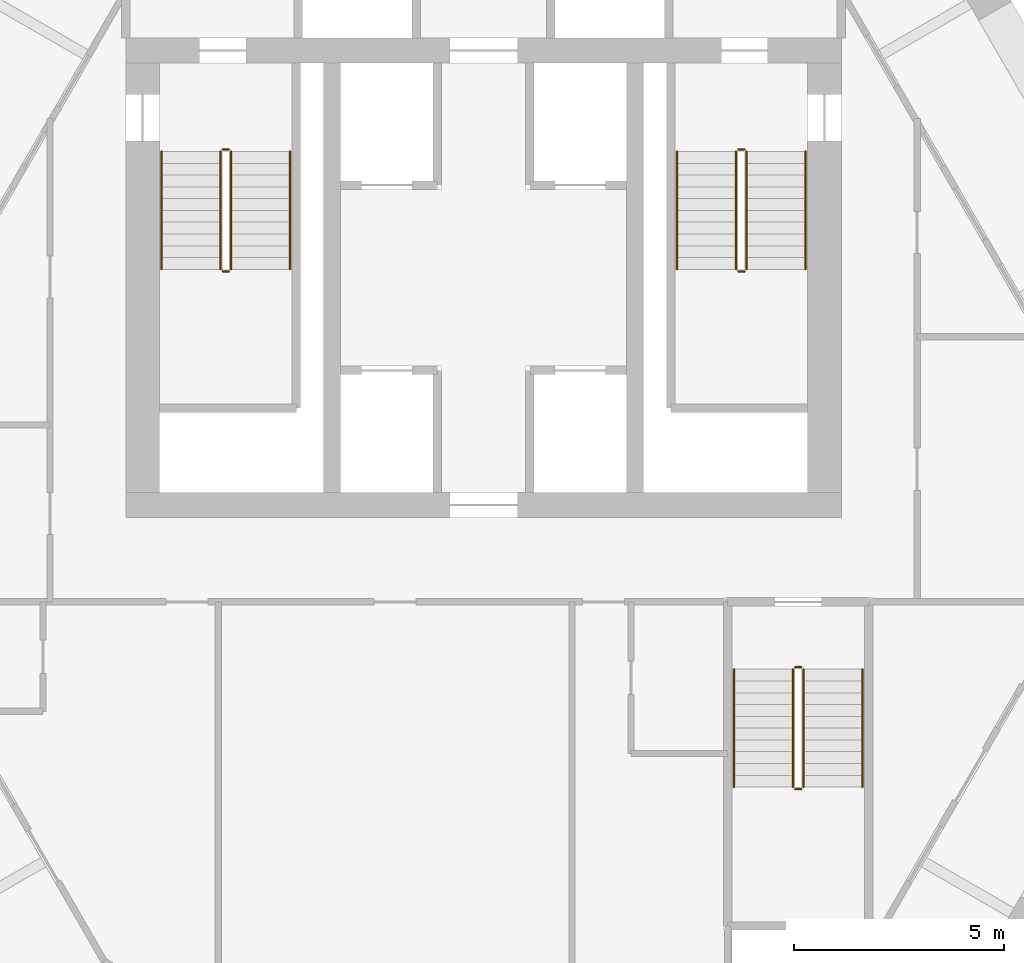
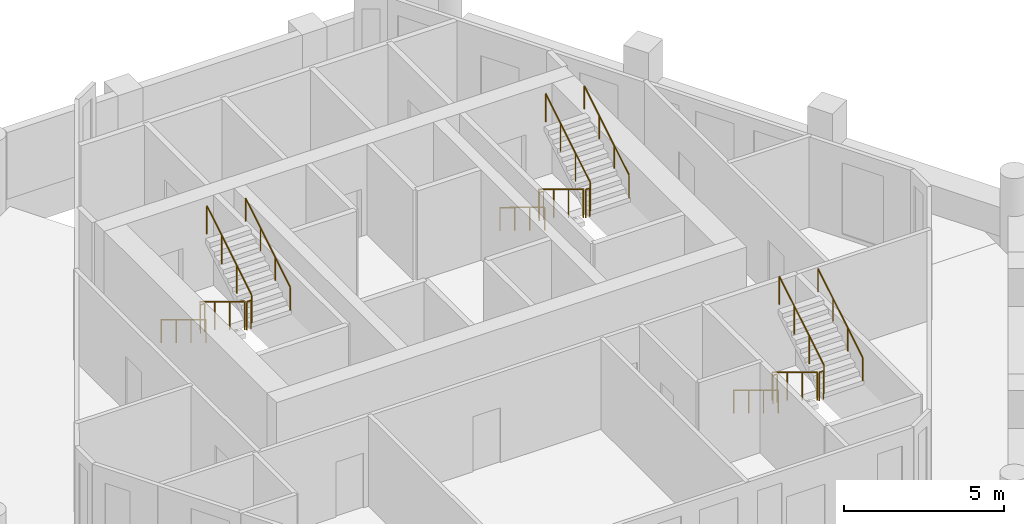
# One storey, part 6 of 6: 18 railings.
"""IFC4 building model written with IfcOpenShell, lengths in metres."""

from ifc_helpers import new_model, si_unit, direction, frame, origin, origin_2d, place, context, subcontext, project, spatial, circle, extrude, material, type_object, element, save


model = new_model("IFC4")

# Units and contexts
model_context = context("Model", 3, precision=1e-05, world=origin(), true_north=direction((0.0, 1.0)))
body_context = subcontext(model_context, "Body", "Model", "MODEL_VIEW")
ifc_project = project(units=[si_unit("LENGTHUNIT", "METRE"), si_unit("AREAUNIT", "SQUARE_METRE"), si_unit("VOLUMEUNIT", "CUBIC_METRE"), si_unit("PLANEANGLEUNIT", "RADIAN"), si_unit("MASSUNIT", "GRAM", prefix="KILO")], contexts=[model_context])

# Site, building, storey
site_placement = place(None, origin())
site = spatial("IfcSite", under=ifc_project, at=site_placement, CompositionType="ELEMENT")
building_placement = place(site_placement, origin())
building = spatial("IfcBuilding", under=site, at=building_placement, Name="Ostrander Bayou Hotel Tower", CompositionType="ELEMENT")
storey_placement = place(building_placement, frame((0.0, 0.0, 271.25)))
storey = spatial("IfcBuildingStorey", under=building, at=storey_placement, Name="L67", CompositionType="ELEMENT", Elevation=271.25)

# Railings
ifc_material_1 = material(Name="Steel ASTM A500 Gr C", Category="steel")
railing_type_1 = type_object("IfcRailingType", Name="GR1 stair guard 1100 mm steel", PredefinedType="GUARDRAIL", material=ifc_material_1)
railing_1_placement = place(storey_placement, frame((-6.25, 7.0, 0.17041015625)))
element("IfcRailing", 1, at=railing_1_placement, inside=storey, type_object=railing_type_1, Name="L67 STA stair guard 1", PredefinedType="GUARDRAIL", context=body_context, shape_type="SweptSolid", body=[
    extrude(circle(Radius=0.02392578125, at=origin_2d()), frame((0.0, 0.0, 1.076171875), z_axis=(0.0, -0.854169791009, 0.51999420009), x_axis=(1.0, 0.0, 0.0)), (0.0, 0.0, 1.0), 3.278076171875),
    extrude(circle(Radius=0.02099609375, at=origin_2d()), origin(), (0.0, 0.0, 1.0), 1.052001953125),
    extrude(circle(Radius=0.02099609375, at=origin_2d()), frame((0.0, -0.933349609375, 0.568115234375)), (0.0, 0.0, 1.0), 1.052001953125),
    extrude(circle(Radius=0.02099609375, at=origin_2d()), frame((0.0, -1.86669921875, 1.136474609375)), (0.0, 0.0, 1.0), 1.052001953125),
    extrude(circle(Radius=0.02099609375, at=origin_2d()), frame((0.0, -2.800048828125, 1.70458984375)), (0.0, 0.0, 1.0), 1.052001953125),
])
railing_2_placement = place(storey_placement, frame((-6.199951171875, 4.14990234375, 1.875)))
element("IfcRailing", 2, at=railing_2_placement, inside=storey, type_object=railing_type_1, Name="L67 STA stair guard 2", PredefinedType="GUARDRAIL", context=body_context, shape_type="SweptSolid", body=[
    extrude(circle(Radius=0.02392578125, at=origin_2d()), frame((0.0, 0.0, 1.076171875), z_axis=(1.0, 0.0, 0.0), x_axis=(0.0, 1.0, 0.0)), (0.0, 0.0, 1.0), 0.14990234375),
    extrude(circle(Radius=0.02099609375, at=origin_2d()), origin(), (0.0, 0.0, 1.0), 1.052001953125),
    extrude(circle(Radius=0.02099609375, at=origin_2d()), frame((0.14990234375, 0.0, 0.0)), (0.0, 0.0, 1.0), 1.052001953125),
])
railing_3_placement = place(storey_placement, frame((-6.0, 4.199951171875, 2.04541015625)))
element("IfcRailing", 3, at=railing_3_placement, inside=storey, type_object=railing_type_1, Name="L67 STA stair guard 3", PredefinedType="GUARDRAIL", context=body_context, shape_type="SweptSolid", body=[
    extrude(circle(Radius=0.02392578125, at=origin_2d()), frame((0.0, 0.0, 1.076171875), z_axis=(0.0, 0.854169791009, 0.51999420009), x_axis=(-1.0, 0.0, 0.0)), (0.0, 0.0, 1.0), 3.278076171875),
    extrude(circle(Radius=0.02099609375, at=origin_2d()), origin(), (0.0, 0.0, 1.0), 1.052001953125),
    extrude(circle(Radius=0.02099609375, at=origin_2d()), frame((0.0, 0.933349609375, 0.568115234375)), (0.0, 0.0, 1.0), 1.052001953125),
    extrude(circle(Radius=0.02099609375, at=origin_2d()), frame((0.0, 1.86669921875, 1.136474609375)), (0.0, 0.0, 1.0), 1.052001953125),
    extrude(circle(Radius=0.02099609375, at=origin_2d()), frame((0.0, 2.800048828125, 1.70458984375)), (0.0, 0.0, 1.0), 1.052001953125),
])
railing_4_placement = place(storey_placement, frame((-6.199951171875, 7.050048828125, 0.0)))
element("IfcRailing", 4, at=railing_4_placement, inside=storey, type_object=railing_type_1, Name="L67 STA stair guard 4", PredefinedType="GUARDRAIL", context=body_context, shape_type="SweptSolid", body=[
    extrude(circle(Radius=0.02392578125, at=origin_2d()), frame((0.0, 0.0, 1.076171875), z_axis=(1.0, 0.0, 0.0), x_axis=(0.0, 1.0, 0.0)), (0.0, 0.0, 1.0), 0.14990234375),
    extrude(circle(Radius=0.02099609375, at=origin_2d()), origin(), (0.0, 0.0, 1.0), 1.052001953125),
    extrude(circle(Radius=0.02099609375, at=origin_2d()), frame((0.14990234375, 0.0, 0.0)), (0.0, 0.0, 1.0), 1.052001953125),
])
railing_5_placement = place(storey_placement, frame((6.0, 7.0, 0.17041015625)))
element("IfcRailing", 5, at=railing_5_placement, inside=storey, type_object=railing_type_1, Name="L67 STB stair guard 1", PredefinedType="GUARDRAIL", context=body_context, shape_type="SweptSolid", body=[
    extrude(circle(Radius=0.02392578125, at=origin_2d()), frame((0.0, 0.0, 1.076171875), z_axis=(0.0, -0.854169791009, 0.51999420009), x_axis=(1.0, 0.0, 0.0)), (0.0, 0.0, 1.0), 3.278076171875),
    extrude(circle(Radius=0.02099609375, at=origin_2d()), origin(), (0.0, 0.0, 1.0), 1.052001953125),
    extrude(circle(Radius=0.02099609375, at=origin_2d()), frame((0.0, -0.933349609375, 0.568115234375)), (0.0, 0.0, 1.0), 1.052001953125),
    extrude(circle(Radius=0.02099609375, at=origin_2d()), frame((0.0, -1.86669921875, 1.136474609375)), (0.0, 0.0, 1.0), 1.052001953125),
    extrude(circle(Radius=0.02099609375, at=origin_2d()), frame((0.0, -2.800048828125, 1.70458984375)), (0.0, 0.0, 1.0), 1.052001953125),
])
railing_6_placement = place(storey_placement, frame((6.050048828125, 4.14990234375, 1.875)))
element("IfcRailing", 6, at=railing_6_placement, inside=storey, type_object=railing_type_1, Name="L67 STB stair guard 2", PredefinedType="GUARDRAIL", context=body_context, shape_type="SweptSolid", body=[
    extrude(circle(Radius=0.02392578125, at=origin_2d()), frame((0.0, 0.0, 1.076171875), z_axis=(1.0, 0.0, 0.0), x_axis=(0.0, 1.0, 0.0)), (0.0, 0.0, 1.0), 0.14990234375),
    extrude(circle(Radius=0.02099609375, at=origin_2d()), origin(), (0.0, 0.0, 1.0), 1.052001953125),
    extrude(circle(Radius=0.02099609375, at=origin_2d()), frame((0.14990234375, 0.0, 0.0)), (0.0, 0.0, 1.0), 1.052001953125),
])
railing_7_placement = place(storey_placement, frame((6.25, 4.199951171875, 2.04541015625)))
element("IfcRailing", 7, at=railing_7_placement, inside=storey, type_object=railing_type_1, Name="L67 STB stair guard 3", PredefinedType="GUARDRAIL", context=body_context, shape_type="SweptSolid", body=[
    extrude(circle(Radius=0.02392578125, at=origin_2d()), frame((0.0, 0.0, 1.076171875), z_axis=(0.0, 0.854169791009, 0.51999420009), x_axis=(-1.0, 0.0, 0.0)), (0.0, 0.0, 1.0), 3.278076171875),
    extrude(circle(Radius=0.02099609375, at=origin_2d()), origin(), (0.0, 0.0, 1.0), 1.052001953125),
    extrude(circle(Radius=0.02099609375, at=origin_2d()), frame((0.0, 0.933349609375, 0.568115234375)), (0.0, 0.0, 1.0), 1.052001953125),
    extrude(circle(Radius=0.02099609375, at=origin_2d()), frame((0.0, 1.86669921875, 1.136474609375)), (0.0, 0.0, 1.0), 1.052001953125),
    extrude(circle(Radius=0.02099609375, at=origin_2d()), frame((0.0, 2.800048828125, 1.70458984375)), (0.0, 0.0, 1.0), 1.052001953125),
])
railing_8_placement = place(storey_placement, frame((6.050048828125, 7.050048828125, 0.0)))
element("IfcRailing", 8, at=railing_8_placement, inside=storey, type_object=railing_type_1, Name="L67 STB stair guard 4", PredefinedType="GUARDRAIL", context=body_context, shape_type="SweptSolid", body=[
    extrude(circle(Radius=0.02392578125, at=origin_2d()), frame((0.0, 0.0, 1.076171875), z_axis=(1.0, 0.0, 0.0), x_axis=(0.0, 1.0, 0.0)), (0.0, 0.0, 1.0), 0.14990234375),
    extrude(circle(Radius=0.02099609375, at=origin_2d()), origin(), (0.0, 0.0, 1.0), 1.052001953125),
    extrude(circle(Radius=0.02099609375, at=origin_2d()), frame((0.14990234375, 0.0, 0.0)), (0.0, 0.0, 1.0), 1.052001953125),
])
railing_9_placement = place(storey_placement, frame((7.35009765625, -5.300048828125, 0.17041015625)))
element("IfcRailing", 9, at=railing_9_placement, inside=storey, type_object=railing_type_1, Name="L67 STC stair guard 1", PredefinedType="GUARDRAIL", context=body_context, shape_type="SweptSolid", body=[
    extrude(circle(Radius=0.02392578125, at=origin_2d()), frame((0.0, 0.0, 1.076171875), z_axis=(0.0, -0.854169791009, 0.51999420009), x_axis=(1.0, 0.0, 0.0)), (0.0, 0.0, 1.0), 3.278076171875),
    extrude(circle(Radius=0.02099609375, at=origin_2d()), origin(), (0.0, 0.0, 1.0), 1.052001953125),
    extrude(circle(Radius=0.02099609375, at=origin_2d()), frame((0.0, -0.933349609375, 0.568115234375)), (0.0, 0.0, 1.0), 1.052001953125),
    extrude(circle(Radius=0.02099609375, at=origin_2d()), frame((0.0, -1.86669921875, 1.136474609375)), (0.0, 0.0, 1.0), 1.052001953125),
    extrude(circle(Radius=0.02099609375, at=origin_2d()), frame((0.0, -2.800048828125, 1.70458984375)), (0.0, 0.0, 1.0), 1.052001953125),
])
railing_10_placement = place(storey_placement, frame((7.39990234375, -8.14990234375, 1.875)))
element("IfcRailing", 10, at=railing_10_placement, inside=storey, type_object=railing_type_1, Name="L67 STC stair guard 2", PredefinedType="GUARDRAIL", context=body_context, shape_type="SweptSolid", body=[
    extrude(circle(Radius=0.02392578125, at=origin_2d()), frame((0.0, 0.0, 1.076171875), z_axis=(1.0, 0.0, 0.0), x_axis=(0.0, 1.0, 0.0)), (0.0, 0.0, 1.0), 0.150146484375),
    extrude(circle(Radius=0.02099609375, at=origin_2d()), origin(), (0.0, 0.0, 1.0), 1.052001953125),
    extrude(circle(Radius=0.02099609375, at=origin_2d()), frame((0.150146484375, 0.0, 0.0)), (0.0, 0.0, 1.0), 1.052001953125),
])
railing_11_placement = place(storey_placement, frame((7.60009765625, -8.10009765625, 2.04541015625)))
element("IfcRailing", 11, at=railing_11_placement, inside=storey, type_object=railing_type_1, Name="L67 STC stair guard 3", PredefinedType="GUARDRAIL", context=body_context, shape_type="SweptSolid", body=[
    extrude(circle(Radius=0.02392578125, at=origin_2d()), frame((0.0, 0.0, 1.076171875), z_axis=(0.0, 0.854169791009, 0.51999420009), x_axis=(-1.0, 0.0, 0.0)), (0.0, 0.0, 1.0), 3.278076171875),
    extrude(circle(Radius=0.02099609375, at=origin_2d()), origin(), (0.0, 0.0, 1.0), 1.052001953125),
    extrude(circle(Radius=0.02099609375, at=origin_2d()), frame((0.0, 0.933349609375, 0.568115234375)), (0.0, 0.0, 1.0), 1.052001953125),
    extrude(circle(Radius=0.02099609375, at=origin_2d()), frame((0.0, 1.86669921875, 1.136474609375)), (0.0, 0.0, 1.0), 1.052001953125),
    extrude(circle(Radius=0.02099609375, at=origin_2d()), frame((0.0, 2.800048828125, 1.70458984375)), (0.0, 0.0, 1.0), 1.052001953125),
])
railing_12_placement = place(storey_placement, frame((7.39990234375, -5.25, 0.0)))
element("IfcRailing", 12, at=railing_12_placement, inside=storey, type_object=railing_type_1, Name="L67 STC stair guard 4", PredefinedType="GUARDRAIL", context=body_context, shape_type="SweptSolid", body=[
    extrude(circle(Radius=0.02392578125, at=origin_2d()), frame((0.0, 0.0, 1.076171875), z_axis=(1.0, 0.0, 0.0), x_axis=(0.0, 1.0, 0.0)), (0.0, 0.0, 1.0), 0.150146484375),
    extrude(circle(Radius=0.02099609375, at=origin_2d()), origin(), (0.0, 0.0, 1.0), 1.052001953125),
    extrude(circle(Radius=0.02099609375, at=origin_2d()), frame((0.150146484375, 0.0, 0.0)), (0.0, 0.0, 1.0), 1.052001953125),
])
ifc_material_2 = material(Name="Steel ASTM A500 Gr C", Category="steel")
railing_type_2 = type_object("IfcRailingType", Name="HR1 stair handrail 900 mm steel", PredefinedType="HANDRAIL", material=ifc_material_2)
railing_13_placement = place(storey_placement, frame((-7.64990234375, 7.0, 0.17041015625)))
element("IfcRailing", 13, at=railing_13_placement, inside=storey, type_object=railing_type_2, Name="L67 STA stair handrail 1", PredefinedType="HANDRAIL", context=body_context, shape_type="SweptSolid", body=[
    extrude(circle(Radius=0.02392578125, at=origin_2d()), frame((0.0, 0.0, 0.8759765625), z_axis=(0.0, -0.854169791009, 0.51999420009), x_axis=(1.0, 0.0, 0.0)), (0.0, 0.0, 1.0), 3.278076171875),
    extrude(circle(Radius=0.02099609375, at=origin_2d()), origin(), (0.0, 0.0, 1.0), 0.851806640625),
    extrude(circle(Radius=0.02099609375, at=origin_2d()), frame((0.0, -0.933349609375, 0.568115234375)), (0.0, 0.0, 1.0), 0.851806640625),
    extrude(circle(Radius=0.02099609375, at=origin_2d()), frame((0.0, -1.86669921875, 1.136474609375)), (0.0, 0.0, 1.0), 0.851806640625),
    extrude(circle(Radius=0.02099609375, at=origin_2d()), frame((0.0, -2.800048828125, 1.70458984375)), (0.0, 0.0, 1.0), 0.851806640625),
])
railing_14_placement = place(storey_placement, frame((-4.60009765625, 4.199951171875, 2.04541015625)))
element("IfcRailing", 14, at=railing_14_placement, inside=storey, type_object=railing_type_2, Name="L67 STA stair handrail 2", PredefinedType="HANDRAIL", context=body_context, shape_type="SweptSolid", body=[
    extrude(circle(Radius=0.02392578125, at=origin_2d()), frame((0.0, 0.0, 0.8759765625), z_axis=(0.0, 0.854169791009, 0.51999420009), x_axis=(-1.0, 0.0, 0.0)), (0.0, 0.0, 1.0), 3.278076171875),
    extrude(circle(Radius=0.02099609375, at=origin_2d()), origin(), (0.0, 0.0, 1.0), 0.851806640625),
    extrude(circle(Radius=0.02099609375, at=origin_2d()), frame((0.0, 0.933349609375, 0.568115234375)), (0.0, 0.0, 1.0), 0.851806640625),
    extrude(circle(Radius=0.02099609375, at=origin_2d()), frame((0.0, 1.86669921875, 1.136474609375)), (0.0, 0.0, 1.0), 0.851806640625),
    extrude(circle(Radius=0.02099609375, at=origin_2d()), frame((0.0, 2.800048828125, 1.70458984375)), (0.0, 0.0, 1.0), 0.851806640625),
])
railing_15_placement = place(storey_placement, frame((4.60009765625, 7.0, 0.17041015625)))
element("IfcRailing", 15, at=railing_15_placement, inside=storey, type_object=railing_type_2, Name="L67 STB stair handrail 1", PredefinedType="HANDRAIL", context=body_context, shape_type="SweptSolid", body=[
    extrude(circle(Radius=0.02392578125, at=origin_2d()), frame((0.0, 0.0, 0.8759765625), z_axis=(0.0, -0.854169791009, 0.51999420009), x_axis=(1.0, 0.0, 0.0)), (0.0, 0.0, 1.0), 3.278076171875),
    extrude(circle(Radius=0.02099609375, at=origin_2d()), origin(), (0.0, 0.0, 1.0), 0.851806640625),
    extrude(circle(Radius=0.02099609375, at=origin_2d()), frame((0.0, -0.933349609375, 0.568115234375)), (0.0, 0.0, 1.0), 0.851806640625),
    extrude(circle(Radius=0.02099609375, at=origin_2d()), frame((0.0, -1.86669921875, 1.136474609375)), (0.0, 0.0, 1.0), 0.851806640625),
    extrude(circle(Radius=0.02099609375, at=origin_2d()), frame((0.0, -2.800048828125, 1.70458984375)), (0.0, 0.0, 1.0), 0.851806640625),
])
railing_16_placement = place(storey_placement, frame((7.64990234375, 4.199951171875, 2.04541015625)))
element("IfcRailing", 16, at=railing_16_placement, inside=storey, type_object=railing_type_2, Name="L67 STB stair handrail 2", PredefinedType="HANDRAIL", context=body_context, shape_type="SweptSolid", body=[
    extrude(circle(Radius=0.02392578125, at=origin_2d()), frame((0.0, 0.0, 0.8759765625), z_axis=(0.0, 0.854169791009, 0.51999420009), x_axis=(-1.0, 0.0, 0.0)), (0.0, 0.0, 1.0), 3.278076171875),
    extrude(circle(Radius=0.02099609375, at=origin_2d()), origin(), (0.0, 0.0, 1.0), 0.851806640625),
    extrude(circle(Radius=0.02099609375, at=origin_2d()), frame((0.0, 0.933349609375, 0.568115234375)), (0.0, 0.0, 1.0), 0.851806640625),
    extrude(circle(Radius=0.02099609375, at=origin_2d()), frame((0.0, 1.86669921875, 1.136474609375)), (0.0, 0.0, 1.0), 0.851806640625),
    extrude(circle(Radius=0.02099609375, at=origin_2d()), frame((0.0, 2.800048828125, 1.70458984375)), (0.0, 0.0, 1.0), 0.851806640625),
])
railing_17_placement = place(storey_placement, frame((5.949951171875, -5.300048828125, 0.17041015625)))
element("IfcRailing", 17, at=railing_17_placement, inside=storey, type_object=railing_type_2, Name="L67 STC stair handrail 1", PredefinedType="HANDRAIL", context=body_context, shape_type="SweptSolid", body=[
    extrude(circle(Radius=0.02392578125, at=origin_2d()), frame((0.0, 0.0, 0.8759765625), z_axis=(0.0, -0.854169791009, 0.51999420009), x_axis=(1.0, 0.0, 0.0)), (0.0, 0.0, 1.0), 3.278076171875),
    extrude(circle(Radius=0.02099609375, at=origin_2d()), origin(), (0.0, 0.0, 1.0), 0.851806640625),
    extrude(circle(Radius=0.02099609375, at=origin_2d()), frame((0.0, -0.933349609375, 0.568115234375)), (0.0, 0.0, 1.0), 0.851806640625),
    extrude(circle(Radius=0.02099609375, at=origin_2d()), frame((0.0, -1.86669921875, 1.136474609375)), (0.0, 0.0, 1.0), 0.851806640625),
    extrude(circle(Radius=0.02099609375, at=origin_2d()), frame((0.0, -2.800048828125, 1.70458984375)), (0.0, 0.0, 1.0), 0.851806640625),
])
railing_18_placement = place(storey_placement, frame((9.0, -8.10009765625, 2.04541015625)))
element("IfcRailing", 18, at=railing_18_placement, inside=storey, type_object=railing_type_2, Name="L67 STC stair handrail 2", PredefinedType="HANDRAIL", context=body_context, shape_type="SweptSolid", body=[
    extrude(circle(Radius=0.02392578125, at=origin_2d()), frame((0.0, 0.0, 0.8759765625), z_axis=(0.0, 0.854169791009, 0.51999420009), x_axis=(-1.0, 0.0, 0.0)), (0.0, 0.0, 1.0), 3.278076171875),
    extrude(circle(Radius=0.02099609375, at=origin_2d()), origin(), (0.0, 0.0, 1.0), 0.851806640625),
    extrude(circle(Radius=0.02099609375, at=origin_2d()), frame((0.0, 0.933349609375, 0.568115234375)), (0.0, 0.0, 1.0), 0.851806640625),
    extrude(circle(Radius=0.02099609375, at=origin_2d()), frame((0.0, 1.86669921875, 1.136474609375)), (0.0, 0.0, 1.0), 0.851806640625),
    extrude(circle(Radius=0.02099609375, at=origin_2d()), frame((0.0, 2.800048828125, 1.70458984375)), (0.0, 0.0, 1.0), 0.851806640625),
])

save(model, "model.ifc")
